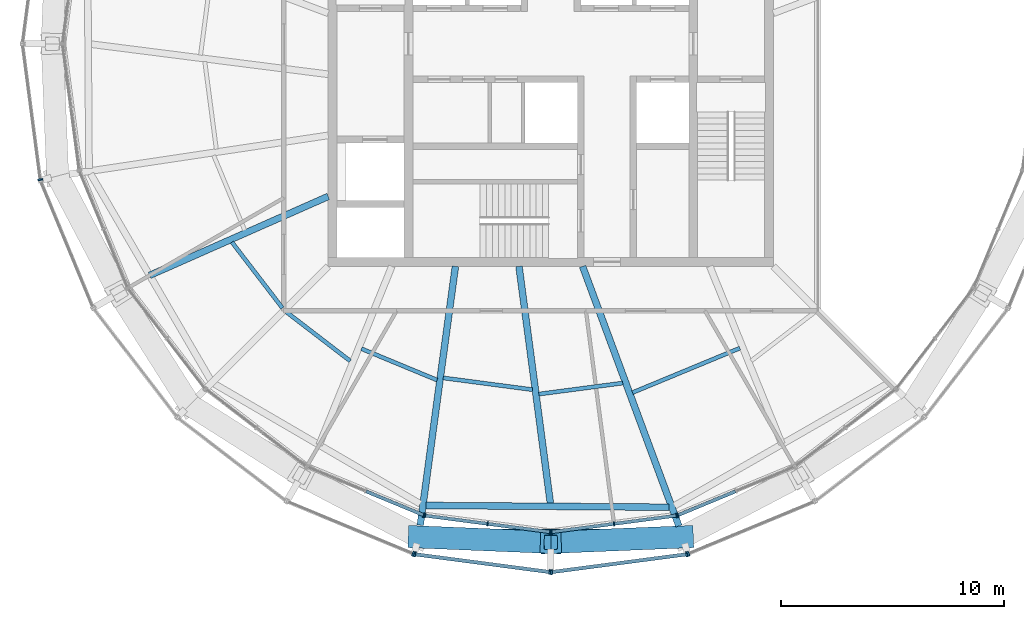
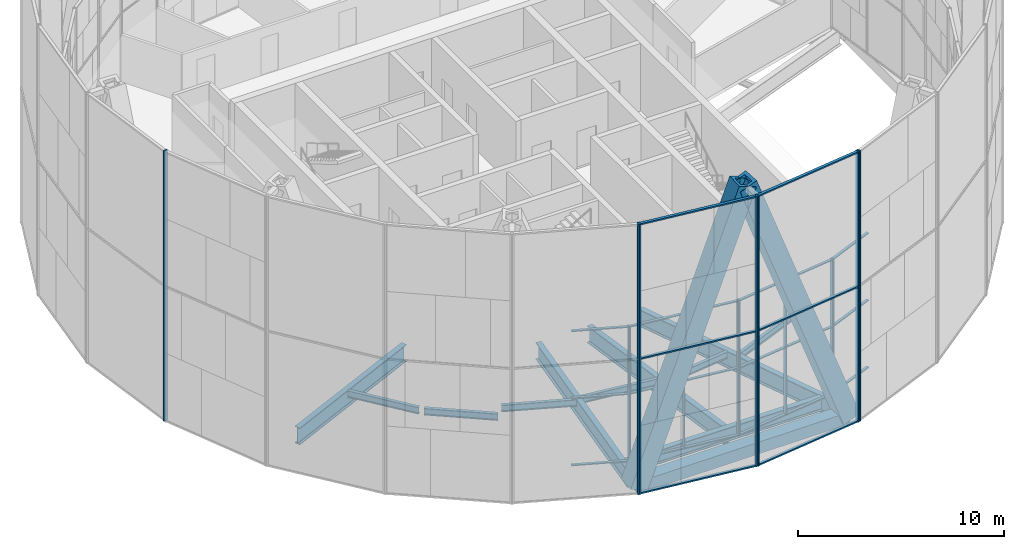
# One storey, part 2 of 22: 41 members, 12 beams, 9 elements without a shape of their own.
"""IFC4 building model written with IfcOpenShell, lengths in metres."""

import ifcopenshell
import ifcopenshell.guid

model = None  # the IFC model being written
_history = None  # IfcOwnerHistory: only IFC2X3 demands one
_inside = {}  # id of a spatial element -> (the spatial element, [elements in it])
_under = {}  # id of a project, library or spatial element -> (it, [spatial elements below it])
_declared = {}  # id of a project -> (the project, [libraries it declares])
_typed = {}  # id of a type object -> (the type object, [elements of that type])
_made_of = {}  # id of a material, layer set ... -> (it, [elements and type objects made of it])


def new_model(schema):
    """Start an empty IFC model of exactly this schema.

    Asked for "IFC4X3", IfcOpenShell would pick the latest addendum, in which some entities
    have other attributes; the version numbers below select the first issue.
    IFC2X3 requires an IfcOwnerHistory on every rooted entity: one is made here for all.
    """
    global model, _history
    if schema == "IFC4X3":
        model = ifcopenshell.file(schema_version=(4, 3, 0, 0))
    else:
        model = ifcopenshell.file(schema=schema)
    _inside.clear()
    _under.clear()
    _declared.clear()
    _typed.clear()
    _made_of.clear()
    _history = None
    if model.schema == "IFC2X3":
        org = make("IfcOrganization", Name="unknown")
        user = make(
            "IfcPersonAndOrganization",
            ThePerson=make("IfcPerson", FamilyName="unknown"),
            TheOrganization=org,
        )
        app = make(
            "IfcApplication",
            ApplicationDeveloper=org,
            Version="unknown",
            ApplicationFullName="unknown",
            ApplicationIdentifier="unknown",
        )
        _history = make(
            "IfcOwnerHistory",
            OwningUser=user,
            OwningApplication=app,
            ChangeAction="ADDED",
            CreationDate=0,
        )
    return model


def make(cls, **values):
    """One entity of the class cls with the attributes given. An attribute that is None is left unset."""
    return model.create_entity(
        cls, **{name: value for name, value in values.items() if value is not None}
    )


def rooted(cls, **values):
    """An entity with a GlobalId (a new one), such as an element, a storey or a relation."""
    return make(cls, GlobalId=ifcopenshell.guid.new(), OwnerHistory=_history, **values)


def si_unit(unit_type, name, prefix=None):
    """IfcSIUnit, for example si_unit("LENGTHUNIT", "METRE", prefix="MILLI")."""
    return make("IfcSIUnit", UnitType=unit_type, Prefix=prefix, Name=name)


def assignment(units):
    """IfcUnitAssignment: the units of a project."""
    return None if units is None else make("IfcUnitAssignment", Units=units)


def point(xyz):
    """IfcCartesianPoint."""
    return None if xyz is None else make("IfcCartesianPoint", Coordinates=xyz)


def direction(xyz):
    """IfcDirection."""
    return None if xyz is None else make("IfcDirection", DirectionRatios=xyz)


def frame(location, z_axis=None, x_axis=None):
    """IfcAxis2Placement3D, a coordinate frame: its origin and axes. An axis left out is left unset."""
    return make(
        "IfcAxis2Placement3D",
        Location=point(location),
        Axis=direction(z_axis),
        RefDirection=direction(x_axis),
    )


def frame_2d(location, x_axis=None):
    """IfcAxis2Placement2D, a coordinate frame in the plane: its origin and x axis."""
    return make(
        "IfcAxis2Placement2D", Location=point(location), RefDirection=direction(x_axis)
    )


def origin():
    """The frame at (0, 0, 0) with its axes left unset."""
    return frame((0.0, 0.0, 0.0))


def origin_2d():
    """The frame at (0, 0) in the plane with its x axis left unset."""
    return frame_2d((0.0, 0.0))


def place(relative_to, where):
    """IfcLocalPlacement: puts the frame where relative to a parent placement (None: the world)."""
    return make(
        "IfcLocalPlacement", PlacementRelTo=relative_to, RelativePlacement=where
    )


def context(
    kind, dimensions, precision=None, world=None, true_north=None, identifier=None
):
    """IfcGeometricRepresentationContext, for example the 3D "Model" context."""
    return make(
        "IfcGeometricRepresentationContext",
        ContextIdentifier=identifier,
        ContextType=kind,
        CoordinateSpaceDimension=dimensions,
        Precision=precision,
        WorldCoordinateSystem=world,
        TrueNorth=true_north,
    )


def subcontext(parent, identifier, kind, view, scale=None):
    """IfcGeometricRepresentationSubContext, for example "Body" below "Model"."""
    return make(
        "IfcGeometricRepresentationSubContext",
        ContextIdentifier=identifier,
        ContextType=kind,
        ParentContext=parent,
        TargetScale=scale,
        TargetView=view,
    )


def project(units=None, contexts=None):
    """IfcProject with its units and contexts."""
    return rooted(
        "IfcProject",
        Name="project",
        RepresentationContexts=contexts,
        UnitsInContext=assignment(units),
    )


def spatial(cls, under=None, at=None, **own):
    """A site, building, storey or space (cls), placed at a placement, below another one or the project."""
    s = rooted(cls, ObjectPlacement=at, **own)
    if under is not None:
        _under.setdefault(under.id(), (under, []))[1].append(s)
    return s


def profile(cls, at=None, kind="AREA", **sizes):
    """A parametric profile (cls). Its sizes go by their IFC names, for example OverallWidth=200.0."""
    return make(cls, ProfileType=kind, Position=at, **sizes)


def rectangle(**sizes):
    """IfcRectangleProfileDef."""
    return profile("IfcRectangleProfileDef", **sizes)


def hollow_rectangle(**sizes):
    """IfcRectangleHollowProfileDef."""
    return profile("IfcRectangleHollowProfileDef", **sizes)


def i_section(**sizes):
    """IfcIShapeProfileDef."""
    return profile("IfcIShapeProfileDef", **sizes)


def extrude(swept, where, along, depth):
    """IfcExtrudedAreaSolid: the profile swept, set in the frame where, extruded along a direction by depth."""
    return make(
        "IfcExtrudedAreaSolid",
        SweptArea=swept,
        Position=where,
        ExtrudedDirection=direction(along),
        Depth=depth,
    )


def shape(context_of_items, identifier, shape_type, items):
    """IfcShapeRepresentation: the items that make up one representation, for example the "Body"."""
    return make(
        "IfcShapeRepresentation",
        ContextOfItems=context_of_items,
        RepresentationIdentifier=identifier,
        RepresentationType=shape_type,
        Items=items,
    )


def material(Name=None, Category=None):
    """IfcMaterial."""
    return make("IfcMaterial", Name=Name, Category=Category)


def material_profile(
    of_material, cross_section, Name=None, Category=None, Priority=None
):
    """IfcMaterialProfile: a cross section and its material."""
    return make(
        "IfcMaterialProfile",
        Name=Name,
        Material=of_material,
        Profile=cross_section,
        Priority=Priority,
        Category=Category,
    )


def profile_set(profiles, Name=None, composite=None):
    """IfcMaterialProfileSet."""
    return make(
        "IfcMaterialProfileSet",
        Name=Name,
        MaterialProfiles=profiles,
        CompositeProfile=composite,
    )


def made_of(thing, what):
    """Note that an element or type object is made of a material, layer set ...; save() writes the relation."""
    if what is not None:
        _made_of.setdefault(what.id(), (what, []))[1].append(thing)
    return thing


def type_object(cls, material=None, **own):
    """A type object (cls), such as IfcWallType, which elements share."""
    return made_of(rooted(cls, **own), material)


def element(
    cls,
    number,
    at=None,
    inside=None,
    cuts=None,
    type_object=None,
    material=None,
    context=None,
    identifier="Body",
    shape_type=None,
    held_by="IfcProductDefinitionShape",
    body=None,
    shapes=None,
    **own,
):
    """One element of the class cls, such as IfcWall. Its Tag is "e" and its number.

    at: its placement. inside: the storey or other place that contains it. cuts: it is an
    opening in that element (IfcRelVoidsElement). A single representation is given by context,
    identifier, shape_type and body (its items); several are given by shapes. held_by: the class
    of the entity that holds the representations. save() writes the other relations.
    """
    e = rooted(cls, Tag="e%d" % number, ObjectPlacement=at, **own)
    if body is not None:
        shapes = [shape(context, identifier, shape_type, body)]
    if shapes is not None:
        e.Representation = make(held_by, Representations=shapes)
    if inside is not None:
        _inside.setdefault(inside.id(), (inside, []))[1].append(e)
    if cuts is not None:
        rooted(
            "IfcRelVoidsElement", RelatingBuildingElement=cuts, RelatedOpeningElement=e
        )
    if type_object is not None:
        _typed.setdefault(type_object.id(), (type_object, []))[1].append(e)
    return made_of(e, material)


def aggregate(whole, parts):
    """IfcRelAggregates: a whole, such as a stair, and the parts it consists of."""
    return rooted("IfcRelAggregates", RelatingObject=whole, RelatedObjects=parts)


def save(model, path):
    """Write the relations noted so far, then the file.

    IfcRelAggregates (storeys below a building ...), IfcRelContainedInSpatialStructure (elements
    in a storey), IfcRelDefinesByType, IfcRelAssociatesMaterial and IfcRelDeclares: one each for
    every whole, place, type object, material and project.
    """
    for whole, parts in _under.values():
        aggregate(whole, parts)
    for where, things in _inside.values():
        rooted(
            "IfcRelContainedInSpatialStructure",
            RelatedElements=things,
            RelatingStructure=where,
        )
    for kind, things in _typed.values():
        rooted("IfcRelDefinesByType", RelatedObjects=things, RelatingType=kind)
    for what, things in _made_of.values():
        rooted("IfcRelAssociatesMaterial", RelatedObjects=things, RelatingMaterial=what)
    for by, libraries in _declared.values():
        rooted("IfcRelDeclares", RelatingContext=by, RelatedDefinitions=libraries)
    model.write(path)


model = new_model("IFC4")

# Units and contexts
model_context = context("Model", 3, precision=1e-05, world=origin(), true_north=direction((0.0, 1.0)))
body_context = subcontext(model_context, "Body", "Model", "MODEL_VIEW")
ifc_project = project(units=[si_unit("LENGTHUNIT", "METRE"), si_unit("AREAUNIT", "SQUARE_METRE"), si_unit("VOLUMEUNIT", "CUBIC_METRE"), si_unit("PLANEANGLEUNIT", "RADIAN"), si_unit("MASSUNIT", "GRAM", prefix="KILO")], contexts=[model_context])

# Site, building, storey
site_placement = place(None, origin())
site = spatial("IfcSite", under=ifc_project, at=site_placement, CompositionType="ELEMENT")
building_placement = place(site_placement, origin())
building = spatial("IfcBuilding", under=site, at=building_placement, Name="Golbaran Civic Tower", CompositionType="ELEMENT")
storey_placement = place(building_placement, frame((0.0, 0.0, 264.0)))
storey = spatial("IfcBuildingStorey", under=building, at=storey_placement, Name="L64", CompositionType="ELEMENT", Elevation=264.0)

# Members
ifc_material_1 = material(Name="Steel S355", Category="steel")
ifc_material_profile_1 = material_profile(ifc_material_1, hollow_rectangle(XDim=1.0, YDim=1.0, WallThickness=0.179931640625, at=origin_2d()), Name="BOX 1000x1000x180")
ifc_profile_set_1 = profile_set([ifc_material_profile_1], Name="Steel S355")
member_type_1 = type_object("IfcMemberType", Name="DIAGRID DIAGONAL BOX 1000x1000x180", PredefinedType="BRACE", material=ifc_profile_set_1)
for number, where, z_axis, x_axis, name in (
    (1, (-5.936767578125, -22.156494140625, -0.7099609375), (0.34783756503, -0.014261383079, 0.937446340495), (0.040965705945, 0.999160553133, 0.0), "Diagonal D15-08R L64-L68"),
    (2, (5.936767578125, -22.156494140625, -0.7099609375), (-0.34783756503, -0.014261383079, 0.937446340495), (0.040965705945, -0.999160553133, 0.0), "Diagonal D15-09L L64-L68"),
):
    element("IfcMember", number, at=place(storey_placement, frame(where, z_axis=z_axis, x_axis=x_axis)), inside=storey, type_object=member_type_1, Name=name, PredefinedType="BRACE", context=body_context, shape_type="SweptSolid", body=[
        extrude(hollow_rectangle(XDim=1.0, YDim=1.0, WallThickness=0.179931640625, at=origin_2d()), origin(), (0.0, 0.0, 1.0), 17.067626953125),
    ])

# Beams
ifc_material_profile_2 = material_profile(ifc_material_1, hollow_rectangle(XDim=0.699951171875, YDim=0.699951171875, WallThickness=0.080078125, at=origin_2d()), Name="BOX 700x700x80")
ifc_profile_set_2 = profile_set([ifc_material_profile_2], Name="Steel S355")
beam_type_1 = type_object("IfcBeamType", Name="DIAGRID RING TIE BOX 700x700x80", PredefinedType="BEAM", material=ifc_profile_set_2)
beam_1_placement = place(storey_placement, frame((-5.936767578125, -22.156494140625, -0.7099609375), z_axis=(1.0, 0.0, 0.0), x_axis=(0.0, 1.0, 0.0)))
element("IfcBeam", 3, at=beam_1_placement, inside=storey, type_object=beam_type_1, Name="Ring tie 255.00 L64", PredefinedType="BEAM", context=body_context, shape_type="SweptSolid", body=[
    extrude(hollow_rectangle(XDim=0.699951171875, YDim=0.699951171875, WallThickness=0.080078125, at=origin_2d()), origin(), (0.0, 0.0, 1.0), 11.87353515625),
])
ifc_material_profile_3 = material_profile(ifc_material_1, i_section(OverallWidth=0.300048828125, OverallDepth=0.800048828125, WebThickness=0.017578125, FlangeThickness=0.032958984375, FilletRadius=0.030029296875, at=origin_2d()), Name="HEB 800")
ifc_profile_set_3 = profile_set([ifc_material_profile_3], Name="Steel S355")
beam_type_2 = type_object("IfcBeamType", Name="EDGE BEAM HEB 800", PredefinedType="BEAM", material=ifc_profile_set_3)
beam_2_placement = place(storey_placement, frame((-5.613525390625, -20.741455078125, -0.60009765625), z_axis=(0.999973586103, -0.007268225063, 0.0), x_axis=(0.007268225063, 0.999973586103, 0.0)))
element("IfcBeam", 4, at=beam_2_placement, inside=storey, type_object=beam_type_2, Name="Edge beam 255.00 L64", PredefinedType="BEAM", context=body_context, shape_type="SweptSolid", body=[
    extrude(i_section(OverallWidth=0.300048828125, OverallDepth=0.800048828125, WebThickness=0.017578125, FlangeThickness=0.032958984375, FilletRadius=0.030029296875, at=origin_2d()), origin(), (0.0, 0.0, 1.0), 10.916748046875),
])
ifc_material_profile_4 = material_profile(ifc_material_1, i_section(OverallWidth=0.179931640625, OverallDepth=0.39990234375, WebThickness=0.008544921875, FlangeThickness=0.013427734375, FilletRadius=0.02099609375, at=origin_2d()), Name="IPE 400")
ifc_profile_set_4 = profile_set([ifc_material_profile_4], Name="Steel S355")
beam_type_3 = type_object("IfcBeamType", Name="FLOOR INFILL BEAM IPE 400", PredefinedType="BEAM", material=ifc_profile_set_4)
beam_3_placement = place(storey_placement, frame((-14.326171875, -8.91259765625, -0.39990234375), z_axis=(0.608729688799, -0.793377694402, 0.0), x_axis=(0.793377694402, 0.608729688799, 0.0)))
element("IfcBeam", 5, at=beam_3_placement, inside=storey, type_object=beam_type_3, Name="Infill beam 217.50 L64", PredefinedType="BEAM", context=body_context, shape_type="SweptSolid", body=[
    extrude(i_section(OverallWidth=0.179931640625, OverallDepth=0.39990234375, WebThickness=0.008544921875, FlangeThickness=0.013427734375, FilletRadius=0.02099609375, at=origin_2d()), origin(), (0.0, 0.0, 1.0), 3.72998046875),
])
beam_4_placement = place(storey_placement, frame((-11.872314453125, -12.05615234375, -0.39990234375), z_axis=(0.793386142334, -0.60871867817, 0.0), x_axis=(0.60871867817, 0.793386142334, 0.0)))
element("IfcBeam", 6, at=beam_4_placement, inside=storey, type_object=beam_type_3, Name="Infill beam 232.50 L64", PredefinedType="BEAM", context=body_context, shape_type="SweptSolid", body=[
    extrude(i_section(OverallWidth=0.179931640625, OverallDepth=0.39990234375, WebThickness=0.008544921875, FlangeThickness=0.013427734375, FilletRadius=0.02099609375, at=origin_2d()), origin(), (0.0, 0.0, 1.0), 3.605224609375),
])
beam_5_placement = place(storey_placement, frame((-8.50732421875, -13.700439453125, -0.39990234375), z_axis=(0.923878435958, -0.382686079668, 0.0), x_axis=(0.382686079668, 0.923878435958, 0.0)))
element("IfcBeam", 7, at=beam_5_placement, inside=storey, type_object=beam_type_3, Name="Infill beam 247.50 L64", PredefinedType="BEAM", context=body_context, shape_type="SweptSolid", body=[
    extrude(i_section(OverallWidth=0.179931640625, OverallDepth=0.39990234375, WebThickness=0.008544921875, FlangeThickness=0.013427734375, FilletRadius=0.02099609375, at=origin_2d()), origin(), (0.0, 0.0, 1.0), 3.676513671875),
])
beam_6_placement = place(storey_placement, frame((-4.835205078125, -15.01123046875, -0.39990234375), z_axis=(0.991444840399, -0.130526351537, 0.0), x_axis=(0.130526351537, 0.991444840399, 0.0)))
element("IfcBeam", 8, at=beam_6_placement, inside=storey, type_object=beam_type_3, Name="Infill beam 262.50 L64", PredefinedType="BEAM", context=body_context, shape_type="SweptSolid", body=[
    extrude(i_section(OverallWidth=0.179931640625, OverallDepth=0.39990234375, WebThickness=0.008544921875, FlangeThickness=0.013427734375, FilletRadius=0.02099609375, at=origin_2d()), origin(), (0.0, 0.0, 1.0), 4.0439453125),
])
beam_7_placement = place(storey_placement, frame((-0.537109375, -15.73876953125, -0.39990234375), z_axis=(0.991441838824, 0.130549148713, 0.0), x_axis=(-0.130549148713, 0.991441838824, 0.0)))
element("IfcBeam", 9, at=beam_7_placement, inside=storey, type_object=beam_type_3, Name="Infill beam 277.50 L64", PredefinedType="BEAM", context=body_context, shape_type="SweptSolid", body=[
    extrude(i_section(OverallWidth=0.179931640625, OverallDepth=0.39990234375, WebThickness=0.008544921875, FlangeThickness=0.013427734375, FilletRadius=0.02099609375, at=origin_2d()), origin(), (0.0, 0.0, 1.0), 3.8037109375),
])
beam_8_placement = place(storey_placement, frame((3.67041015625, -15.671142578125, -0.39990234375), z_axis=(0.92386635704, 0.382715239219, 0.0), x_axis=(-0.382715239219, 0.92386635704, 0.0)))
element("IfcBeam", 10, at=beam_8_placement, inside=storey, type_object=beam_type_3, Name="Infill beam 292.50 L64", PredefinedType="BEAM", context=body_context, shape_type="SweptSolid", body=[
    extrude(i_section(OverallWidth=0.179931640625, OverallDepth=0.39990234375, WebThickness=0.008544921875, FlangeThickness=0.013427734375, FilletRadius=0.02099609375, at=origin_2d()), origin(), (0.0, 0.0, 1.0), 5.220703125),
])

# Curtain wall, member
ifc_material_2 = material(Name="Aluminium and glass", Category="aluminium")
curtain_wall_type_1 = type_object("IfcCurtainWallType", Name="INNER SKIN CURTAIN WALL EXECUTIVE", PredefinedType="NOTDEFINED", material=ifc_material_2)
curtain_wall_1_placement = place(storey_placement, origin())
curtain_wall_1 = element("IfcCurtainWall", 11, at=curtain_wall_1_placement, inside=storey, type_object=curtain_wall_type_1, Name="Inner skin L64 facet 17 CW2", ObjectType="INNER SKIN", PredefinedType="USERDEFINED")
ifc_material_3 = material(Name="Aluminium", Category="aluminium")
ifc_material_profile_5 = material_profile(ifc_material_3, rectangle(XDim=0.199951171875, YDim=0.06005859375, at=origin_2d()), Name="INNER SKIN CURTAIN WALL EXECUTIVE MULLION")
ifc_profile_set_5 = profile_set([ifc_material_profile_5], Name="Aluminium")
member_type_2 = type_object("IfcMemberType", Name="INNER SKIN CURTAIN WALL EXECUTIVE MULLION", PredefinedType="MULLION", material=ifc_profile_set_5)
member_1_placement = place(storey_placement, frame((-5.7060546875, -21.179931640625, 0.0), z_axis=(0.0, 0.0, 1.0), x_axis=(0.382683432349, 0.923879532518, 0.0)))
member_1 = element("IfcMember", 12, at=member_1_placement, type_object=member_type_2, Name="CW2 mullion 3", PredefinedType="MULLION", context=body_context, shape_type="SweptSolid", body=[
    extrude(rectangle(XDim=0.199951171875, YDim=0.06005859375, at=origin_2d()), origin(), (0.0, 0.0, 1.0), 8.0),
])

# Curtain wall, members
curtain_wall_2_placement = place(storey_placement, origin())
curtain_wall_2 = element("IfcCurtainWall", 13, at=curtain_wall_2_placement, inside=storey, type_object=curtain_wall_type_1, Name="Inner skin L64 facet 18 CW2", ObjectType="INNER SKIN", PredefinedType="USERDEFINED")
member_2_placement = place(storey_placement, frame((-5.6484375, -21.1953125, 0.0), z_axis=(0.0, 0.0, 1.0), x_axis=(0.130526192203, 0.991444861376, 0.0)))
member_2 = element("IfcMember", 14, at=member_2_placement, type_object=member_type_2, Name="CW2 mullion 1", PredefinedType="MULLION", context=body_context, shape_type="SweptSolid", body=[
    extrude(rectangle(XDim=0.199951171875, YDim=0.06005859375, at=origin_2d()), origin(), (0.0, 0.0, 1.0), 8.0),
])
member_3_placement = place(storey_placement, frame((-2.839111328125, -21.565185546875, 0.0), z_axis=(0.0, 0.0, 1.0), x_axis=(0.130526192203, 0.991444861376, 0.0)))
member_3 = element("IfcMember", 15, at=member_3_placement, type_object=member_type_2, Name="CW2 mullion 2", PredefinedType="MULLION", context=body_context, shape_type="SweptSolid", body=[
    extrude(rectangle(XDim=0.199951171875, YDim=0.06005859375, at=origin_2d()), origin(), (0.0, 0.0, 1.0), 8.0),
])
member_4_placement = place(storey_placement, frame((-0.02978515625, -21.93505859375, 0.0), z_axis=(0.0, 0.0, 1.0), x_axis=(0.130526192203, 0.991444861376, 0.0)))
member_4 = element("IfcMember", 16, at=member_4_placement, type_object=member_type_2, Name="CW2 mullion 3", PredefinedType="MULLION", context=body_context, shape_type="SweptSolid", body=[
    extrude(rectangle(XDim=0.199951171875, YDim=0.06005859375, at=origin_2d()), origin(), (0.0, 0.0, 1.0), 8.0),
])

curtain_wall_3_placement = place(storey_placement, origin())
curtain_wall_3 = element("IfcCurtainWall", 17, at=curtain_wall_3_placement, inside=storey, type_object=curtain_wall_type_1, Name="Inner skin L64 facet 19 CW2", ObjectType="INNER SKIN", PredefinedType="USERDEFINED")
member_5_placement = place(storey_placement, frame((0.02978515625, -21.93505859375, 0.0), z_axis=(0.0, 0.0, 1.0), x_axis=(-0.130526192203, 0.991444861376, 0.0)))
member_5 = element("IfcMember", 18, at=member_5_placement, type_object=member_type_2, Name="CW2 mullion 1", PredefinedType="MULLION", context=body_context, shape_type="SweptSolid", body=[
    extrude(rectangle(XDim=0.199951171875, YDim=0.06005859375, at=origin_2d()), origin(), (0.0, 0.0, 1.0), 8.0),
])
member_6_placement = place(storey_placement, frame((2.839111328125, -21.565185546875, 0.0), z_axis=(0.0, 0.0, 1.0), x_axis=(-0.130526192203, 0.991444861376, 0.0)))
member_6 = element("IfcMember", 19, at=member_6_placement, type_object=member_type_2, Name="CW2 mullion 2", PredefinedType="MULLION", context=body_context, shape_type="SweptSolid", body=[
    extrude(rectangle(XDim=0.199951171875, YDim=0.06005859375, at=origin_2d()), origin(), (0.0, 0.0, 1.0), 8.0),
])
member_7_placement = place(storey_placement, frame((5.6484375, -21.1953125, 0.0), z_axis=(0.0, 0.0, 1.0), x_axis=(-0.130526192203, 0.991444861376, 0.0)))
member_7 = element("IfcMember", 20, at=member_7_placement, type_object=member_type_2, Name="CW2 mullion 3", PredefinedType="MULLION", context=body_context, shape_type="SweptSolid", body=[
    extrude(rectangle(XDim=0.199951171875, YDim=0.06005859375, at=origin_2d()), origin(), (0.0, 0.0, 1.0), 8.0),
])

# Curtain wall, member
curtain_wall_4_placement = place(storey_placement, origin())
curtain_wall_4 = element("IfcCurtainWall", 21, at=curtain_wall_4_placement, inside=storey, type_object=curtain_wall_type_1, Name="Inner skin L64 facet 20 CW2", ObjectType="INNER SKIN", PredefinedType="USERDEFINED")
member_8_placement = place(storey_placement, frame((5.7060546875, -21.179931640625, 0.0), z_axis=(0.0, 0.0, 1.0), x_axis=(-0.382683432349, 0.923879532518, 0.0)))
member_8 = element("IfcMember", 22, at=member_8_placement, type_object=member_type_2, Name="CW2 mullion 1", PredefinedType="MULLION", context=body_context, shape_type="SweptSolid", body=[
    extrude(rectangle(XDim=0.199951171875, YDim=0.06005859375, at=origin_2d()), origin(), (0.0, 0.0, 1.0), 8.0),
])

# Member
ifc_material_profile_6 = material_profile(ifc_material_3, rectangle(XDim=0.14990234375, YDim=0.06005859375, at=origin_2d()), Name="INNER SKIN CURTAIN WALL EXECUTIVE TRANSOM")
ifc_profile_set_6 = profile_set([ifc_material_profile_6], Name="Aluminium")
member_type_3 = type_object("IfcMemberType", Name="INNER SKIN CURTAIN WALL EXECUTIVE TRANSOM", PredefinedType="USERDEFINED", material=ifc_profile_set_6)
member_9_placement = place(storey_placement, frame((-8.296142578125, -20.107177734375, 0.030029296875), z_axis=(0.923897754451, -0.382639437748, 0.0), x_axis=(0.382639437748, 0.923897754451, 0.0)))
member_9 = element("IfcMember", 23, at=member_9_placement, type_object=member_type_3, Name="CW2 transom 2.1", ObjectType="TRANSOM", PredefinedType="USERDEFINED", context=body_context, shape_type="SweptSolid", body=[
    extrude(rectangle(XDim=0.14990234375, YDim=0.06005859375, at=origin_2d()), origin(), (0.0, 0.0, 1.0), 2.773681640625),
])

member_10_placement = place(storey_placement, frame((-8.296142578125, -20.107177734375, 4.0), z_axis=(0.923897754451, -0.382639437748, 0.0), x_axis=(0.382639437748, 0.923897754451, 0.0)))
member_10 = element("IfcMember", 24, at=member_10_placement, type_object=member_type_3, Name="CW2 transom 2.2", ObjectType="TRANSOM", PredefinedType="USERDEFINED", context=body_context, shape_type="SweptSolid", body=[
    extrude(rectangle(XDim=0.14990234375, YDim=0.06005859375, at=origin_2d()), origin(), (0.0, 0.0, 1.0), 2.773681640625),
])

member_11_placement = place(storey_placement, frame((-8.296142578125, -20.107177734375, 7.969970703125), z_axis=(0.923897754451, -0.382639437748, 0.0), x_axis=(0.382639437748, 0.923897754451, 0.0)))
member_11 = element("IfcMember", 25, at=member_11_placement, type_object=member_type_3, Name="CW2 transom 2.3", ObjectType="TRANSOM", PredefinedType="USERDEFINED", context=body_context, shape_type="SweptSolid", body=[
    extrude(rectangle(XDim=0.14990234375, YDim=0.06005859375, at=origin_2d()), origin(), (0.0, 0.0, 1.0), 2.773681640625),
])

aggregate(curtain_wall_1, [member_1, member_9, member_10, member_11])

member_12_placement = place(storey_placement, frame((-5.61865234375, -21.19921875, 0.030029296875), z_axis=(0.99144260663, -0.130543317556, 0.0), x_axis=(0.130543317556, 0.99144260663, 0.0)))
member_12 = element("IfcMember", 26, at=member_12_placement, type_object=member_type_3, Name="CW2 transom 1.1", ObjectType="TRANSOM", PredefinedType="USERDEFINED", context=body_context, shape_type="SweptSolid", body=[
    extrude(rectangle(XDim=0.14990234375, YDim=0.06005859375, at=origin_2d()), origin(), (0.0, 0.0, 1.0), 2.7734375),
])

member_13_placement = place(storey_placement, frame((-5.61865234375, -21.19921875, 4.0), z_axis=(0.99144260663, -0.130543317556, 0.0), x_axis=(0.130543317556, 0.99144260663, 0.0)))
member_13 = element("IfcMember", 27, at=member_13_placement, type_object=member_type_3, Name="CW2 transom 1.2", ObjectType="TRANSOM", PredefinedType="USERDEFINED", context=body_context, shape_type="SweptSolid", body=[
    extrude(rectangle(XDim=0.14990234375, YDim=0.06005859375, at=origin_2d()), origin(), (0.0, 0.0, 1.0), 2.7734375),
])

member_14_placement = place(storey_placement, frame((-5.61865234375, -21.19921875, 7.969970703125), z_axis=(0.99144260663, -0.130543317556, 0.0), x_axis=(0.130543317556, 0.99144260663, 0.0)))
member_14 = element("IfcMember", 28, at=member_14_placement, type_object=member_type_3, Name="CW2 transom 1.3", ObjectType="TRANSOM", PredefinedType="USERDEFINED", context=body_context, shape_type="SweptSolid", body=[
    extrude(rectangle(XDim=0.14990234375, YDim=0.06005859375, at=origin_2d()), origin(), (0.0, 0.0, 1.0), 2.7734375),
])

member_15_placement = place(storey_placement, frame((-2.809326171875, -21.569091796875, 0.030029296875), z_axis=(0.99144260663, -0.130543317556, 0.0), x_axis=(0.130543317556, 0.99144260663, 0.0)))
member_15 = element("IfcMember", 29, at=member_15_placement, type_object=member_type_3, Name="CW2 transom 2.1", ObjectType="TRANSOM", PredefinedType="USERDEFINED", context=body_context, shape_type="SweptSolid", body=[
    extrude(rectangle(XDim=0.14990234375, YDim=0.06005859375, at=origin_2d()), origin(), (0.0, 0.0, 1.0), 2.7734375),
])

member_16_placement = place(storey_placement, frame((-2.809326171875, -21.569091796875, 4.0), z_axis=(0.99144260663, -0.130543317556, 0.0), x_axis=(0.130543317556, 0.99144260663, 0.0)))
member_16 = element("IfcMember", 30, at=member_16_placement, type_object=member_type_3, Name="CW2 transom 2.2", ObjectType="TRANSOM", PredefinedType="USERDEFINED", context=body_context, shape_type="SweptSolid", body=[
    extrude(rectangle(XDim=0.14990234375, YDim=0.06005859375, at=origin_2d()), origin(), (0.0, 0.0, 1.0), 2.7734375),
])

member_17_placement = place(storey_placement, frame((-2.809326171875, -21.569091796875, 7.969970703125), z_axis=(0.99144260663, -0.130543317556, 0.0), x_axis=(0.130543317556, 0.99144260663, 0.0)))
member_17 = element("IfcMember", 31, at=member_17_placement, type_object=member_type_3, Name="CW2 transom 2.3", ObjectType="TRANSOM", PredefinedType="USERDEFINED", context=body_context, shape_type="SweptSolid", body=[
    extrude(rectangle(XDim=0.14990234375, YDim=0.06005859375, at=origin_2d()), origin(), (0.0, 0.0, 1.0), 2.7734375),
])

aggregate(curtain_wall_2, [member_2, member_3, member_4, member_12, member_13, member_14, member_15, member_16, member_17])

member_18_placement = place(storey_placement, frame((0.0595703125, -21.93115234375, 0.030029296875), z_axis=(0.99144260663, 0.130543317556, 0.0), x_axis=(-0.130543317556, 0.99144260663, 0.0)))
member_18 = element("IfcMember", 32, at=member_18_placement, type_object=member_type_3, Name="CW2 transom 1.1", ObjectType="TRANSOM", PredefinedType="USERDEFINED", context=body_context, shape_type="SweptSolid", body=[
    extrude(rectangle(XDim=0.14990234375, YDim=0.06005859375, at=origin_2d()), origin(), (0.0, 0.0, 1.0), 2.7734375),
])

member_19_placement = place(storey_placement, frame((0.0595703125, -21.93115234375, 4.0), z_axis=(0.99144260663, 0.130543317556, 0.0), x_axis=(-0.130543317556, 0.99144260663, 0.0)))
member_19 = element("IfcMember", 33, at=member_19_placement, type_object=member_type_3, Name="CW2 transom 1.2", ObjectType="TRANSOM", PredefinedType="USERDEFINED", context=body_context, shape_type="SweptSolid", body=[
    extrude(rectangle(XDim=0.14990234375, YDim=0.06005859375, at=origin_2d()), origin(), (0.0, 0.0, 1.0), 2.7734375),
])

member_20_placement = place(storey_placement, frame((0.0595703125, -21.93115234375, 7.969970703125), z_axis=(0.99144260663, 0.130543317556, 0.0), x_axis=(-0.130543317556, 0.99144260663, 0.0)))
member_20 = element("IfcMember", 34, at=member_20_placement, type_object=member_type_3, Name="CW2 transom 1.3", ObjectType="TRANSOM", PredefinedType="USERDEFINED", context=body_context, shape_type="SweptSolid", body=[
    extrude(rectangle(XDim=0.14990234375, YDim=0.06005859375, at=origin_2d()), origin(), (0.0, 0.0, 1.0), 2.7734375),
])

member_21_placement = place(storey_placement, frame((2.868896484375, -21.561279296875, 0.030029296875), z_axis=(0.99144260663, 0.130543317556, 0.0), x_axis=(-0.130543317556, 0.99144260663, 0.0)))
member_21 = element("IfcMember", 35, at=member_21_placement, type_object=member_type_3, Name="CW2 transom 2.1", ObjectType="TRANSOM", PredefinedType="USERDEFINED", context=body_context, shape_type="SweptSolid", body=[
    extrude(rectangle(XDim=0.14990234375, YDim=0.06005859375, at=origin_2d()), origin(), (0.0, 0.0, 1.0), 2.7734375),
])

member_22_placement = place(storey_placement, frame((2.868896484375, -21.561279296875, 4.0), z_axis=(0.99144260663, 0.130543317556, 0.0), x_axis=(-0.130543317556, 0.99144260663, 0.0)))
member_22 = element("IfcMember", 36, at=member_22_placement, type_object=member_type_3, Name="CW2 transom 2.2", ObjectType="TRANSOM", PredefinedType="USERDEFINED", context=body_context, shape_type="SweptSolid", body=[
    extrude(rectangle(XDim=0.14990234375, YDim=0.06005859375, at=origin_2d()), origin(), (0.0, 0.0, 1.0), 2.7734375),
])

member_23_placement = place(storey_placement, frame((2.868896484375, -21.561279296875, 7.969970703125), z_axis=(0.99144260663, 0.130543317556, 0.0), x_axis=(-0.130543317556, 0.99144260663, 0.0)))
member_23 = element("IfcMember", 37, at=member_23_placement, type_object=member_type_3, Name="CW2 transom 2.3", ObjectType="TRANSOM", PredefinedType="USERDEFINED", context=body_context, shape_type="SweptSolid", body=[
    extrude(rectangle(XDim=0.14990234375, YDim=0.06005859375, at=origin_2d()), origin(), (0.0, 0.0, 1.0), 2.7734375),
])

aggregate(curtain_wall_3, [member_5, member_6, member_7, member_18, member_19, member_20, member_21, member_22, member_23])

member_24_placement = place(storey_placement, frame((5.733642578125, -21.16845703125, 0.030029296875), z_axis=(0.923897754451, 0.382639437748, 0.0), x_axis=(-0.382639437748, 0.923897754451, 0.0)))
member_24 = element("IfcMember", 38, at=member_24_placement, type_object=member_type_3, Name="CW2 transom 1.1", ObjectType="TRANSOM", PredefinedType="USERDEFINED", context=body_context, shape_type="SweptSolid", body=[
    extrude(rectangle(XDim=0.14990234375, YDim=0.06005859375, at=origin_2d()), origin(), (0.0, 0.0, 1.0), 2.773681640625),
])

member_25_placement = place(storey_placement, frame((5.733642578125, -21.16845703125, 4.0), z_axis=(0.923897754451, 0.382639437748, 0.0), x_axis=(-0.382639437748, 0.923897754451, 0.0)))
member_25 = element("IfcMember", 39, at=member_25_placement, type_object=member_type_3, Name="CW2 transom 1.2", ObjectType="TRANSOM", PredefinedType="USERDEFINED", context=body_context, shape_type="SweptSolid", body=[
    extrude(rectangle(XDim=0.14990234375, YDim=0.06005859375, at=origin_2d()), origin(), (0.0, 0.0, 1.0), 2.773681640625),
])

member_26_placement = place(storey_placement, frame((5.733642578125, -21.16845703125, 7.969970703125), z_axis=(0.923897754451, 0.382639437748, 0.0), x_axis=(-0.382639437748, 0.923897754451, 0.0)))
member_26 = element("IfcMember", 40, at=member_26_placement, type_object=member_type_3, Name="CW2 transom 1.3", ObjectType="TRANSOM", PredefinedType="USERDEFINED", context=body_context, shape_type="SweptSolid", body=[
    extrude(rectangle(XDim=0.14990234375, YDim=0.06005859375, at=origin_2d()), origin(), (0.0, 0.0, 1.0), 2.773681640625),
])

aggregate(curtain_wall_4, [member_8, member_24, member_25, member_26])

# Curtain wall, member
curtain_wall_type_2 = type_object("IfcCurtainWallType", Name="OUTER SKIN TERRACOTTA SCREEN", PredefinedType="NOTDEFINED", material=ifc_material_2)
curtain_wall_5_placement = place(storey_placement, origin())
curtain_wall_5 = element("IfcCurtainWall", 41, at=curtain_wall_5_placement, inside=storey, type_object=curtain_wall_type_2, Name="Outer skin L64 facet 13 CW3", ObjectType="OUTER SKIN", PredefinedType="USERDEFINED")
ifc_material_profile_7 = material_profile(ifc_material_3, rectangle(XDim=0.219970703125, YDim=0.080078125, at=origin_2d()), Name="OUTER SKIN TERRACOTTA SCREEN MULLION")
ifc_profile_set_7 = profile_set([ifc_material_profile_7], Name="Aluminium")
member_type_4 = type_object("IfcMemberType", Name="OUTER SKIN TERRACOTTA SCREEN MULLION", PredefinedType="MULLION", material=ifc_profile_set_7)
member_27_placement = place(storey_placement, frame((-22.934326171875, -6.104248046875, -0.7099609375), z_axis=(0.0, 0.0, 1.0), x_axis=(0.991444861365, 0.130526192289, 0.0)))
member_27 = element("IfcMember", 42, at=member_27_placement, type_object=member_type_4, Name="CW3 mullion 2", PredefinedType="MULLION", context=body_context, shape_type="SweptSolid", body=[
    extrude(rectangle(XDim=0.219970703125, YDim=0.080078125, at=origin_2d()), origin(), (0.0, 0.0, 1.0), 16.0),
])
aggregate(curtain_wall_5, [member_27])

curtain_wall_6_placement = place(storey_placement, origin())
curtain_wall_6 = element("IfcCurtainWall", 43, at=curtain_wall_6_placement, inside=storey, type_object=curtain_wall_type_2, Name="Outer skin L64 facet 17 CW3", ObjectType="OUTER SKIN", PredefinedType="USERDEFINED")
member_28_placement = place(storey_placement, frame((-6.180908203125, -22.913818359375, -0.7099609375), z_axis=(0.0, 0.0, 1.0), x_axis=(0.382683432333, 0.923879532525, 0.0)))
member_28 = element("IfcMember", 44, at=member_28_placement, type_object=member_type_4, Name="CW3 mullion 2", PredefinedType="MULLION", context=body_context, shape_type="SweptSolid", body=[
    extrude(rectangle(XDim=0.219970703125, YDim=0.080078125, at=origin_2d()), origin(), (0.0, 0.0, 1.0), 16.0),
])
aggregate(curtain_wall_6, [member_28])

# Curtain wall, members
curtain_wall_7_placement = place(storey_placement, origin())
curtain_wall_7 = element("IfcCurtainWall", 45, at=curtain_wall_7_placement, inside=storey, type_object=curtain_wall_type_2, Name="Outer skin L64 facet 18 CW3", ObjectType="OUTER SKIN", PredefinedType="USERDEFINED")
member_29_placement = place(storey_placement, frame((-6.104248046875, -22.934326171875, -0.7099609375), z_axis=(0.0, 0.0, 1.0), x_axis=(0.130526192289, 0.991444861365, 0.0)))
member_29 = element("IfcMember", 46, at=member_29_placement, type_object=member_type_4, Name="CW3 mullion 1", PredefinedType="MULLION", context=body_context, shape_type="SweptSolid", body=[
    extrude(rectangle(XDim=0.219970703125, YDim=0.080078125, at=origin_2d()), origin(), (0.0, 0.0, 1.0), 16.0),
])
member_30_placement = place(storey_placement, frame((-0.03955078125, -23.732666015625, -0.7099609375), z_axis=(0.0, 0.0, 1.0), x_axis=(0.130526192289, 0.991444861365, 0.0)))
member_30 = element("IfcMember", 47, at=member_30_placement, type_object=member_type_4, Name="CW3 mullion 2", PredefinedType="MULLION", context=body_context, shape_type="SweptSolid", body=[
    extrude(rectangle(XDim=0.219970703125, YDim=0.080078125, at=origin_2d()), origin(), (0.0, 0.0, 1.0), 16.0),
])

curtain_wall_8_placement = place(storey_placement, origin())
curtain_wall_8 = element("IfcCurtainWall", 48, at=curtain_wall_8_placement, inside=storey, type_object=curtain_wall_type_2, Name="Outer skin L64 facet 19 CW3", ObjectType="OUTER SKIN", PredefinedType="USERDEFINED")
member_31_placement = place(storey_placement, frame((0.03955078125, -23.732666015625, -0.7099609375), z_axis=(0.0, 0.0, 1.0), x_axis=(-0.130526192289, 0.991444861365, 0.0)))
member_31 = element("IfcMember", 49, at=member_31_placement, type_object=member_type_4, Name="CW3 mullion 1", PredefinedType="MULLION", context=body_context, shape_type="SweptSolid", body=[
    extrude(rectangle(XDim=0.219970703125, YDim=0.080078125, at=origin_2d()), origin(), (0.0, 0.0, 1.0), 16.0),
])
member_32_placement = place(storey_placement, frame((6.104248046875, -22.934326171875, -0.7099609375), z_axis=(0.0, 0.0, 1.0), x_axis=(-0.130526192289, 0.991444861365, 0.0)))
member_32 = element("IfcMember", 50, at=member_32_placement, type_object=member_type_4, Name="CW3 mullion 2", PredefinedType="MULLION", context=body_context, shape_type="SweptSolid", body=[
    extrude(rectangle(XDim=0.219970703125, YDim=0.080078125, at=origin_2d()), origin(), (0.0, 0.0, 1.0), 16.0),
])

# Curtain wall, member
curtain_wall_9_placement = place(storey_placement, origin())
curtain_wall_9 = element("IfcCurtainWall", 51, at=curtain_wall_9_placement, inside=storey, type_object=curtain_wall_type_2, Name="Outer skin L64 facet 20 CW3", ObjectType="OUTER SKIN", PredefinedType="USERDEFINED")
member_33_placement = place(storey_placement, frame((6.180908203125, -22.913818359375, -0.7099609375), z_axis=(0.0, 0.0, 1.0), x_axis=(-0.382683432333, 0.923879532525, 0.0)))
member_33 = element("IfcMember", 52, at=member_33_placement, type_object=member_type_4, Name="CW3 mullion 1", PredefinedType="MULLION", context=body_context, shape_type="SweptSolid", body=[
    extrude(rectangle(XDim=0.219970703125, YDim=0.080078125, at=origin_2d()), origin(), (0.0, 0.0, 1.0), 16.0),
])
aggregate(curtain_wall_9, [member_33])

# Member
ifc_material_profile_8 = material_profile(ifc_material_3, rectangle(XDim=0.159912109375, YDim=0.080078125, at=origin_2d()), Name="OUTER SKIN TERRACOTTA SCREEN TRANSOM")
ifc_profile_set_8 = profile_set([ifc_material_profile_8], Name="Aluminium")
member_type_5 = type_object("IfcMemberType", Name="OUTER SKIN TERRACOTTA SCREEN TRANSOM", PredefinedType="USERDEFINED", material=ifc_profile_set_8)
member_34_placement = place(storey_placement, frame((-6.064453125, -22.939697265625, -0.669921875), z_axis=(0.9914472738, -0.130507866716, 0.0), x_axis=(0.130507866716, 0.9914472738, 0.0)))
member_34 = element("IfcMember", 53, at=member_34_placement, type_object=member_type_5, Name="CW3 transom 1.1", ObjectType="TRANSOM", PredefinedType="USERDEFINED", context=body_context, shape_type="SweptSolid", body=[
    extrude(rectangle(XDim=0.159912109375, YDim=0.080078125, at=origin_2d()), origin(), (0.0, 0.0, 1.0), 6.03662109375),
])

member_35_placement = place(storey_placement, frame((-6.064453125, -22.939697265625, 7.2900390625), z_axis=(0.9914472738, -0.130507866716, 0.0), x_axis=(0.130507866716, 0.9914472738, 0.0)))
member_35 = element("IfcMember", 54, at=member_35_placement, type_object=member_type_5, Name="CW3 transom 1.2", ObjectType="TRANSOM", PredefinedType="USERDEFINED", context=body_context, shape_type="SweptSolid", body=[
    extrude(rectangle(XDim=0.159912109375, YDim=0.080078125, at=origin_2d()), origin(), (0.0, 0.0, 1.0), 6.03662109375),
])

member_36_placement = place(storey_placement, frame((-6.064453125, -22.939697265625, 15.25), z_axis=(0.9914472738, -0.130507866716, 0.0), x_axis=(0.130507866716, 0.9914472738, 0.0)))
member_36 = element("IfcMember", 55, at=member_36_placement, type_object=member_type_5, Name="CW3 transom 1.3", ObjectType="TRANSOM", PredefinedType="USERDEFINED", context=body_context, shape_type="SweptSolid", body=[
    extrude(rectangle(XDim=0.159912109375, YDim=0.080078125, at=origin_2d()), origin(), (0.0, 0.0, 1.0), 6.03662109375),
])

aggregate(curtain_wall_7, [member_29, member_30, member_34, member_35, member_36])

member_37_placement = place(storey_placement, frame((0.079345703125, -23.7275390625, -0.669921875), z_axis=(0.9914472738, 0.130507866716, 0.0), x_axis=(-0.130507866716, 0.9914472738, 0.0)))
member_37 = element("IfcMember", 56, at=member_37_placement, type_object=member_type_5, Name="CW3 transom 1.1", ObjectType="TRANSOM", PredefinedType="USERDEFINED", context=body_context, shape_type="SweptSolid", body=[
    extrude(rectangle(XDim=0.159912109375, YDim=0.080078125, at=origin_2d()), origin(), (0.0, 0.0, 1.0), 6.03662109375),
])

member_38_placement = place(storey_placement, frame((0.079345703125, -23.7275390625, 7.2900390625), z_axis=(0.9914472738, 0.130507866716, 0.0), x_axis=(-0.130507866716, 0.9914472738, 0.0)))
member_38 = element("IfcMember", 57, at=member_38_placement, type_object=member_type_5, Name="CW3 transom 1.2", ObjectType="TRANSOM", PredefinedType="USERDEFINED", context=body_context, shape_type="SweptSolid", body=[
    extrude(rectangle(XDim=0.159912109375, YDim=0.080078125, at=origin_2d()), origin(), (0.0, 0.0, 1.0), 6.03662109375),
])

member_39_placement = place(storey_placement, frame((0.079345703125, -23.7275390625, 15.25), z_axis=(0.9914472738, 0.130507866716, 0.0), x_axis=(-0.130507866716, 0.9914472738, 0.0)))
member_39 = element("IfcMember", 58, at=member_39_placement, type_object=member_type_5, Name="CW3 transom 1.3", ObjectType="TRANSOM", PredefinedType="USERDEFINED", context=body_context, shape_type="SweptSolid", body=[
    extrude(rectangle(XDim=0.159912109375, YDim=0.080078125, at=origin_2d()), origin(), (0.0, 0.0, 1.0), 6.03662109375),
])

aggregate(curtain_wall_8, [member_31, member_32, member_37, member_38, member_39])

# Beams
ifc_material_profile_9 = material_profile(ifc_material_1, i_section(OverallWidth=0.300048828125, OverallDepth=1.0, WebThickness=0.01904296875, FlangeThickness=0.035888671875, FilletRadius=0.030029296875, at=origin_2d()), Name="HEB 1000")
ifc_profile_set_9 = profile_set([ifc_material_profile_9], Name="Steel S355")
beam_type_4 = type_object("IfcBeamType", Name="RADIAL FLOOR BEAM HEB 1000", PredefinedType="BEAM", material=ifc_profile_set_9)
beam_9_placement = place(storey_placement, frame((-4.28564453125, -10.0, -0.7099609375), z_axis=(-0.134591480562, -0.990901172348, 0.0), x_axis=(0.990901172348, -0.134591480562, 0.0)))
element("IfcBeam", 59, at=beam_9_placement, inside=storey, type_object=beam_type_4, Name="Radial beam 255.00 L64", PredefinedType="BEAM", context=body_context, shape_type="SweptSolid", body=[
    extrude(i_section(OverallWidth=0.300048828125, OverallDepth=1.0, WebThickness=0.01904296875, FlangeThickness=0.035888671875, FilletRadius=0.030029296875, at=origin_2d()), origin(), (0.0, 0.0, 1.0), 11.736083984375),
])
beam_10_placement = place(storey_placement, frame((1.428466796875, -10.0, -0.7099609375), z_axis=(0.347709989207, -0.93760213492, 0.0), x_axis=(0.93760213492, 0.347709989207, 0.0)))
element("IfcBeam", 60, at=beam_10_placement, inside=storey, type_object=beam_type_4, Name="Radial beam 285.00 L64", PredefinedType="BEAM", context=body_context, shape_type="SweptSolid", body=[
    extrude(i_section(OverallWidth=0.300048828125, OverallDepth=1.0, WebThickness=0.01904296875, FlangeThickness=0.035888671875, FilletRadius=0.030029296875, at=origin_2d()), origin(), (0.0, 0.0, 1.0), 12.439697265625),
])
ifc_material_profile_10 = material_profile(ifc_material_1, i_section(OverallWidth=0.300048828125, OverallDepth=1.0, WebThickness=0.01904296875, FlangeThickness=0.035888671875, FilletRadius=0.030029296875, at=origin_2d()), Name="HEB 1000")
ifc_profile_set_10 = profile_set([ifc_material_profile_10], Name="Steel S355")
beam_type_5 = type_object("IfcBeamType", Name="SECONDARY FLOOR BEAM HEB 1000", PredefinedType="BEAM", material=ifc_profile_set_10)
beam_11_placement = place(storey_placement, frame((-10.0, -6.857177734375, -0.7099609375), z_axis=(-0.914561872787, -0.404446017219, 0.0), x_axis=(0.404446017219, -0.914561872787, 0.0)))
element("IfcBeam", 61, at=beam_11_placement, inside=storey, type_object=beam_type_5, Name="Secondary beam 210.00 L64", PredefinedType="BEAM", context=body_context, shape_type="SweptSolid", body=[
    extrude(i_section(OverallWidth=0.300048828125, OverallDepth=1.0, WebThickness=0.01904296875, FlangeThickness=0.035888671875, FilletRadius=0.030029296875, at=origin_2d()), origin(), (0.0, 0.0, 1.0), 8.770263671875),
])
beam_12_placement = place(storey_placement, frame((-1.428466796875, -10.0, -0.7099609375), z_axis=(0.13133588912, -0.991337926355, 0.0), x_axis=(0.991337926355, 0.13133588912, 0.0)))
element("IfcBeam", 62, at=beam_12_placement, inside=storey, type_object=beam_type_5, Name="Secondary beam 270.00 L64", PredefinedType="BEAM", context=body_context, shape_type="SweptSolid", body=[
    extrude(i_section(OverallWidth=0.300048828125, OverallDepth=1.0, WebThickness=0.01904296875, FlangeThickness=0.035888671875, FilletRadius=0.030029296875, at=origin_2d()), origin(), (0.0, 0.0, 1.0), 10.87646484375),
])

save(model, "model.ifc")
